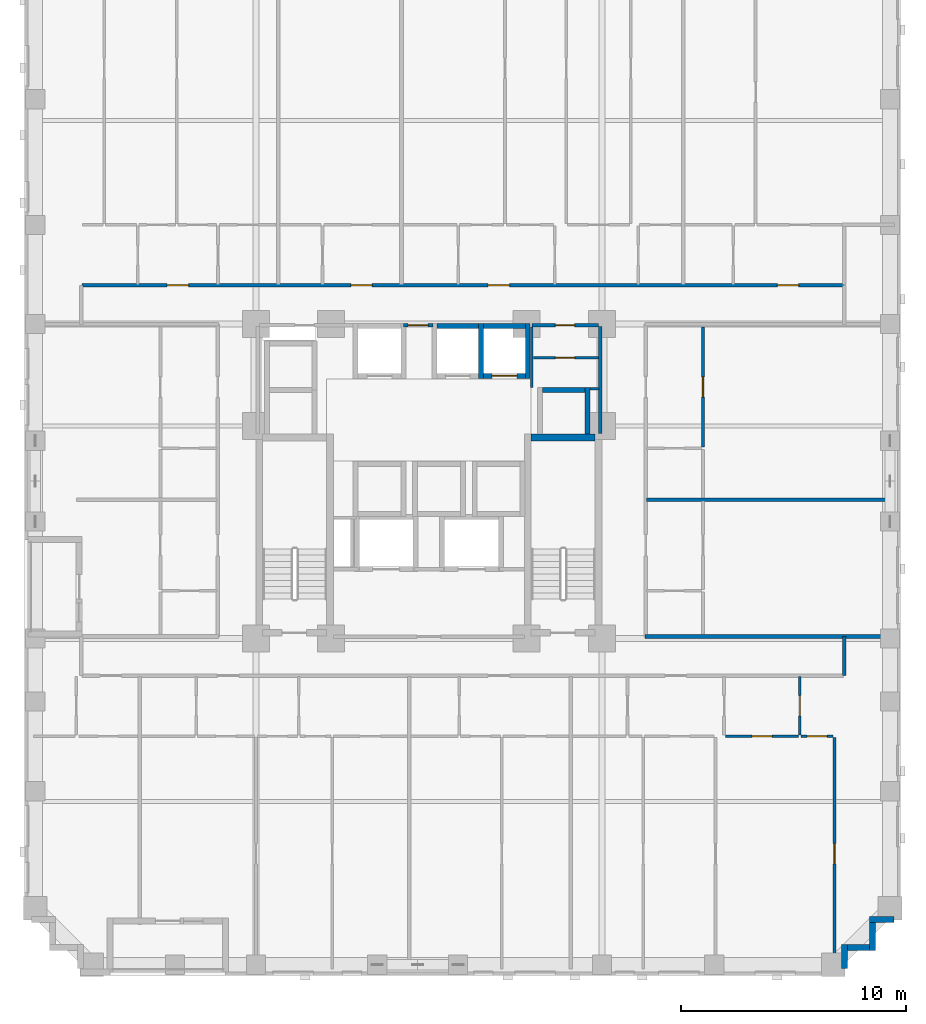
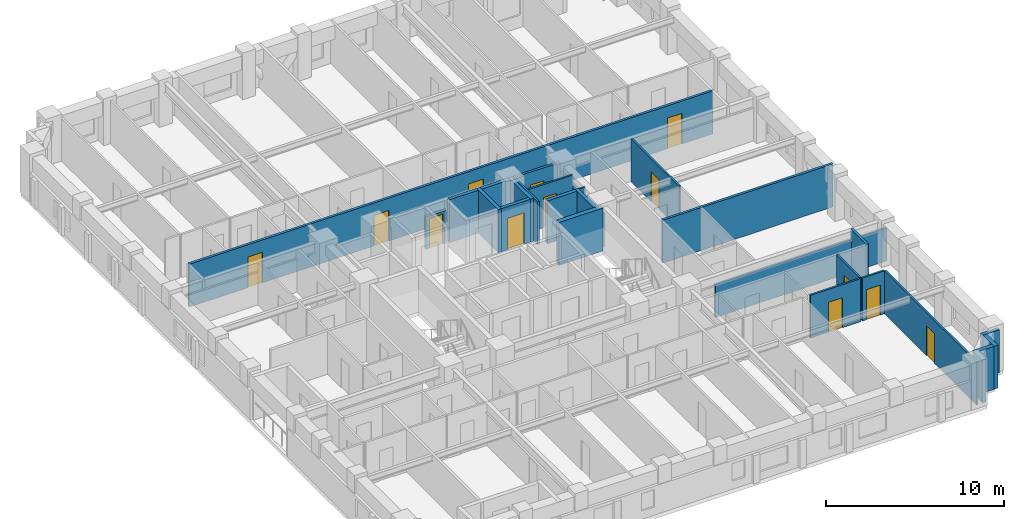
# One storey, part 6 of 14: 27 walls, 13 doors, 13 openings.
"""IFC4 building model written with IfcOpenShell, lengths in metres."""

from ifc_helpers import new_model, si_unit, derived_unit, direction, frame, frame_2d, origin, place, context, subcontext, project, spatial, rectangle, extrude, material, layer, layer_set, type_object, element, fill, save


model = new_model("IFC4")

# Units and contexts
model_context = context("Model", 3, precision=1e-05, world=origin(), true_north=direction((0.0, 1.0)))
body_context = subcontext(model_context, "Body", "Model", "MODEL_VIEW")
ifc_project = project(units=[si_unit("LENGTHUNIT", "METRE"), si_unit("AREAUNIT", "SQUARE_METRE"), si_unit("VOLUMEUNIT", "CUBIC_METRE"), si_unit("PLANEANGLEUNIT", "RADIAN"), si_unit("MASSUNIT", "GRAM", prefix="KILO"), derived_unit("THERMALTRANSMITTANCEUNIT", [(si_unit("MASSUNIT", "GRAM", prefix="KILO"), 1), (si_unit("TIMEUNIT", "SECOND"), -3), (si_unit("THERMODYNAMICTEMPERATUREUNIT", "KELVIN"), -1)])], contexts=[model_context])

# Site, building, storey
site_placement = place(None, origin())
site = spatial("IfcSite", under=ifc_project, at=site_placement, CompositionType="ELEMENT")
building_placement = place(site_placement, origin())
building = spatial("IfcBuilding", under=site, at=building_placement, Name="Korrvale Station Residences", CompositionType="ELEMENT")
storey_placement = place(building_placement, frame((0.0, 0.0, 57.800048828125)))
storey = spatial("IfcBuildingStorey", under=building, at=storey_placement, Name="L15", CompositionType="ELEMENT", Elevation=57.800048828125)

# Walls
ifc_material_1 = material(Name="Concrete C70/85", Category="concrete")
ifc_layer_1 = layer(ifc_material_1, 0.300048828125, Name="Concrete C70/85")
ifc_layer_set_1 = layer_set([ifc_layer_1], Name="Concrete C70/85")
wall_type_1 = type_object("IfcWallType", Name="WAL-CORE-300-C70", PredefinedType="SHEAR", material=ifc_layer_set_1)
wall_1_placement = place(storey_placement, frame((30.050048828125, 23.949951171875, 0.0), z_axis=(0.0, 0.0, 1.0), x_axis=(1.0, 0.0, 0.0)))
element("IfcWall", 1, at=wall_1_placement, inside=storey, type_object=wall_type_1, Name="L15 ST-2 Core Shear Wall North", PredefinedType="SHEAR", context=body_context, shape_type="SweptSolid", body=[
    extrude(rectangle(XDim=2.849853515625, YDim=0.300048828125, at=frame_2d((1.4248046875, 0.0))), origin(), (0.0, 0.0, 1.0), 2.93994140625),
])
ifc_material_2 = material(Name="Precast concrete C45/55", Category="concrete")
ifc_layer_2 = layer(ifc_material_2, 0.260009765625, Name="Precast concrete C45/55")
ifc_layer_set_2 = layer_set([ifc_layer_2], Name="Precast concrete C45/55")
wall_type_2 = type_object("IfcWallType", Name="WAL-EXT-LOG260", PredefinedType="SOLIDWALL", material=ifc_layer_set_2)
wall_2_placement = place(storey_placement, frame((46.197998046875, 2.5, 0.0), z_axis=(0.0, 0.0, 1.0), x_axis=(-1.0, 0.0, 0.0)))
element("IfcWall", 2, at=wall_2_placement, inside=storey, type_object=wall_type_2, Name="L15 Serrated Corner Precast Step SE-1", PredefinedType="SOLIDWALL", context=body_context, shape_type="SweptSolid", body=[
    extrude(rectangle(XDim=1.077880859375, YDim=0.260009765625, at=frame_2d((0.5390625, 0.0))), origin(), (0.0, 0.0, 1.0), 2.93994140625),
])
wall_3_placement = place(storey_placement, frame((45.25, 2.367919921875, 0.0), z_axis=(0.0, 0.0, 1.0), x_axis=(0.0, -1.0, 0.0)))
element("IfcWall", 3, at=wall_3_placement, inside=storey, type_object=wall_type_2, Name="L15 Serrated Corner Precast Step SE-2", PredefinedType="SOLIDWALL", context=body_context, shape_type="SweptSolid", body=[
    extrude(rectangle(XDim=1.247802734375, YDim=0.260009765625, at=frame_2d((0.6240234375, 0.0))), origin(), (0.0, 0.0, 1.0), 2.93994140625),
])
wall_4_placement = place(storey_placement, frame((45.117919921875, 1.25, 0.0), z_axis=(0.0, 0.0, 1.0), x_axis=(-1.0, 0.0, 0.0)))
element("IfcWall", 4, at=wall_4_placement, inside=storey, type_object=wall_type_2, Name="L15 Serrated Corner Precast Step SE-3", PredefinedType="SOLIDWALL", context=body_context, shape_type="SweptSolid", body=[
    extrude(rectangle(XDim=0.98583984375, YDim=0.260009765625, at=frame_2d((0.492919921875, 0.0))), origin(), (0.0, 0.0, 1.0), 2.93994140625),
])
wall_5_placement = place(storey_placement, frame((44.0, 1.3798828125, 0.0), z_axis=(0.0, 0.0, 1.0), x_axis=(0.0, -1.0, 0.0)))
element("IfcWall", 5, at=wall_5_placement, inside=storey, type_object=wall_type_2, Name="L15 Serrated Corner Precast Step SE-4", PredefinedType="SOLIDWALL", context=body_context, shape_type="SweptSolid", body=[
    extrude(rectangle(XDim=1.077880859375, YDim=0.260009765625, at=frame_2d((0.5390625, 0.0))), origin(), (0.0, 0.0, 1.0), 2.93994140625),
])
ifc_material_3 = material(Name="Acoustic steel-stud gypsum board partition", Category="steel")
ifc_layer_3 = layer(ifc_material_3, 0.1201171875, Name="Acoustic steel-stud gypsum board partition")
ifc_layer_set_3 = layer_set([ifc_layer_3], Name="Acoustic steel-stud gypsum board partition")
wall_type_3 = type_object("IfcWallType", Name="WAL-PART-125", PredefinedType="PARTITIONING", material=ifc_layer_set_3)
wall_6_placement = place(storey_placement, frame((30.080078125, 26.179931640625, 0.0), z_axis=(0.0, 0.0, 1.0), x_axis=(0.0, 1.0, 0.0)))
element("IfcWall", 6, at=wall_6_placement, inside=storey, type_object=wall_type_3, Name="L15 Core Partition CW-CS-W", PredefinedType="PARTITIONING", context=body_context, shape_type="SweptSolid", body=[
    extrude(rectangle(XDim=2.68017578125, YDim=0.1201171875, at=frame_2d((1.340087890625, 0.0))), origin(), (0.0, 0.0, 1.0), 2.93994140625),
])
wall_7_placement = place(storey_placement, frame((32.679931640625, 26.1201171875, 0.0), z_axis=(0.0, 0.0, 1.0), x_axis=(1.0, 0.0, 0.0)))
element("IfcWall", 7, at=wall_7_placement, inside=storey, type_object=wall_type_3, Name="L15 Core Partition CW-CS-S", PredefinedType="PARTITIONING", context=body_context, shape_type="SweptSolid", body=[
    extrude(rectangle(XDim=0.380126953125, YDim=0.1201171875, at=frame_2d((0.18994140625, 0.0))), origin(), (0.0, 0.0, 1.0), 2.93994140625),
])

# Wall, opening, door
wall_8_placement = place(storey_placement, frame((30.159912109375, 27.5, 0.0), z_axis=(0.0, 0.0, 1.0), x_axis=(1.0, 0.0, 0.0)))
wall_8 = element("IfcWall", 8, at=wall_8_placement, inside=storey, type_object=wall_type_3, Name="L15 Core Partition CW-CS-H", PredefinedType="PARTITIONING", context=body_context, shape_type="SweptSolid", body=[
    extrude(rectangle(XDim=2.880126953125, YDim=0.1201171875, at=frame_2d((1.43994140625, 0.0))), origin(), (0.0, 0.0, 1.0), 2.93994140625),
])
opening_1_placement = place(wall_8_placement, frame((0.969970703125, 0.0, 0.0)))
opening_1 = element("IfcOpeningElement", 9, at=opening_1_placement, cuts=wall_8, Name="Opening DB-860", PredefinedType="OPENING", context=body_context, shape_type="SweptSolid", body=[
    extrude(rectangle(XDim=0.860107421875, YDim=2.050048828125, at=frame_2d((0.43017578125, 1.02490234375))), frame((0.0, 0.070068359375, 0.0), z_axis=(0.0, -1.0, 0.0), x_axis=(1.0, 0.0, 0.0)), (0.0, 0.0, 1.0), 0.14013671875),
])
ifc_material_4 = material(Name="Moisture-resistant solid-core bathroom door", Category="timber")
door_type_1 = type_object("IfcDoorType", Name="DR-BATH-860", OperationType="NOTDEFINED", PredefinedType="DOOR", material=ifc_material_4)
door_1_placement = place(opening_1_placement, origin())
door_1 = element("IfcDoor", 10, at=door_1_placement, inside=storey, type_object=door_type_1, Name="L15 Mail Sorting Inner Door", OperationType="SINGLE_SWING_RIGHT", OverallHeight=2.050048828125, OverallWidth=0.860107421875, PredefinedType="DOOR", context=body_context, shape_type="SweptSolid", body=[
    extrude(rectangle(XDim=0.860107421875, YDim=2.050048828125, at=frame_2d((0.43017578125, 1.02490234375))), frame((0.0, 0.02490234375, 0.0), z_axis=(0.0, -1.0, 0.0), x_axis=(1.0, 0.0, 0.0)), (0.0, 0.0, 1.0), 0.050048828125),
])
fill(opening_1, door_1)

wall_9_placement = place(storey_placement, frame((42.007080078125, 10.7099609375, 0.0), z_axis=(0.0, 0.0, 1.0), x_axis=(0.0, 1.0, 0.0)))
wall_9 = element("IfcWall", 11, at=wall_9_placement, inside=storey, type_object=wall_type_3, Name="L15 Suite Partition U04-V23", PredefinedType="PARTITIONING", context=body_context, shape_type="SweptSolid", body=[
    extrude(rectangle(XDim=2.60009765625, YDim=0.1201171875, at=frame_2d((1.300048828125, 0.0))), origin(), (0.0, 0.0, 1.0), 2.93994140625),
])
opening_2_placement = place(wall_9_placement, frame((0.85009765625, 0.0, 0.0)))
opening_2 = element("IfcOpeningElement", 12, at=opening_2_placement, cuts=wall_9, Name="Opening DI-900", PredefinedType="OPENING", context=body_context, shape_type="SweptSolid", body=[
    extrude(rectangle(XDim=0.89990234375, YDim=2.050048828125, at=frame_2d((0.449951171875, 1.02490234375))), frame((0.0, 0.070068359375, 0.0), z_axis=(0.0, -1.0, 0.0), x_axis=(1.0, 0.0, 0.0)), (0.0, 0.0, 1.0), 0.14013671875),
])
ifc_material_5 = material(Name="Painted solid-core timber interior room door", Category="wood")
door_type_2 = type_object("IfcDoorType", Name="DR-INT-900", OperationType="NOTDEFINED", PredefinedType="DOOR", material=ifc_material_5)
door_2_placement = place(opening_2_placement, origin())
door_2 = element("IfcDoor", 13, at=door_2_placement, inside=storey, type_object=door_type_2, Name="L15 Studio Apartment L15-U04 Home Study Room Door", OperationType="SINGLE_SWING_LEFT", OverallHeight=2.050048828125, OverallWidth=0.89990234375, PredefinedType="DOOR", context=body_context, shape_type="SweptSolid", body=[
    extrude(rectangle(XDim=0.89990234375, YDim=2.050048828125, at=frame_2d((0.449951171875, 1.02490234375))), frame((0.0, 0.02490234375, 0.0), z_axis=(0.0, -1.0, 0.0), x_axis=(1.0, 0.0, 0.0)), (0.0, 0.0, 1.0), 0.050048828125),
])
fill(opening_2, door_2)

wall_10_placement = place(storey_placement, frame((38.697021484375, 10.64990234375, 0.0), z_axis=(0.0, 0.0, 1.0), x_axis=(1.0, 0.0, 0.0)))
wall_10 = element("IfcWall", 14, at=wall_10_placement, inside=storey, type_object=wall_type_3, Name="L15 Suite Partition U04-H26", PredefinedType="PARTITIONING", context=body_context, shape_type="SweptSolid", body=[
    extrude(rectangle(XDim=3.25, YDim=0.1201171875, at=frame_2d((1.625, 0.0))), origin(), (0.0, 0.0, 1.0), 2.93994140625),
])
opening_3_placement = place(wall_10_placement, frame((1.175048828125, 0.0, 0.0)))
opening_3 = element("IfcOpeningElement", 15, at=opening_3_placement, cuts=wall_10, Name="Opening DI-900", PredefinedType="OPENING", context=body_context, shape_type="SweptSolid", body=[
    extrude(rectangle(XDim=0.89990234375, YDim=2.050048828125, at=frame_2d((0.449951171875, 1.02490234375))), frame((0.0, 0.070068359375, 0.0), z_axis=(0.0, -1.0, 0.0), x_axis=(1.0, 0.0, 0.0)), (0.0, 0.0, 1.0), 0.14013671875),
])
door_3_placement = place(opening_3_placement, origin())
door_3 = element("IfcDoor", 16, at=door_3_placement, inside=storey, type_object=door_type_2, Name="L15 Studio Apartment L15-U04 Home Study Room Door", OperationType="SINGLE_SWING_RIGHT", OverallHeight=2.050048828125, OverallWidth=0.89990234375, PredefinedType="DOOR", context=body_context, shape_type="SweptSolid", body=[
    extrude(rectangle(XDim=0.89990234375, YDim=2.050048828125, at=frame_2d((0.449951171875, 1.02490234375))), frame((0.0, 0.02490234375, 0.0), z_axis=(0.0, -1.0, 0.0), x_axis=(1.0, 0.0, 0.0)), (0.0, 0.0, 1.0), 0.050048828125),
])
fill(opening_3, door_3)

wall_11_placement = place(storey_placement, frame((42.06689453125, 10.64990234375, 0.0), z_axis=(0.0, 0.0, 1.0), x_axis=(1.0, 0.0, 0.0)))
wall_11 = element("IfcWall", 17, at=wall_11_placement, inside=storey, type_object=wall_type_3, Name="L15 Suite Partition U04-H36", PredefinedType="PARTITIONING", context=body_context, shape_type="SweptSolid", body=[
    extrude(rectangle(XDim=1.423095703125, YDim=0.1201171875, at=frame_2d((0.71142578125, 0.0))), origin(), (0.0, 0.0, 1.0), 2.93994140625),
])
opening_4_placement = place(wall_11_placement, frame((0.261962890625, 0.0, 0.0)))
opening_4 = element("IfcOpeningElement", 18, at=opening_4_placement, cuts=wall_11, Name="Opening DI-900", PredefinedType="OPENING", context=body_context, shape_type="SweptSolid", body=[
    extrude(rectangle(XDim=0.89990234375, YDim=2.050048828125, at=frame_2d((0.449951171875, 1.02490234375))), frame((0.0, 0.070068359375, 0.0), z_axis=(0.0, -1.0, 0.0), x_axis=(1.0, 0.0, 0.0)), (0.0, 0.0, 1.0), 0.14013671875),
])
door_4_placement = place(opening_4_placement, origin())
door_4 = element("IfcDoor", 19, at=door_4_placement, inside=storey, type_object=door_type_2, Name="L15 Studio Apartment L15-U04 Utility and Laundry Room Door", OperationType="SINGLE_SWING_LEFT", OverallHeight=2.050048828125, OverallWidth=0.89990234375, PredefinedType="DOOR", context=body_context, shape_type="SweptSolid", body=[
    extrude(rectangle(XDim=0.89990234375, YDim=2.050048828125, at=frame_2d((0.449951171875, 1.02490234375))), frame((0.0, 0.02490234375, 0.0), z_axis=(0.0, -1.0, 0.0), x_axis=(1.0, 0.0, 0.0)), (0.0, 0.0, 1.0), 0.050048828125),
])
fill(opening_4, door_4)

wall_12_placement = place(storey_placement, frame((43.550048828125, 0.280029296875, 0.0), z_axis=(0.0, 0.0, 1.0), x_axis=(0.0, 1.0, 0.0)))
wall_12 = element("IfcWall", 20, at=wall_12_placement, inside=storey, type_object=wall_type_3, Name="L15 Suite Partition U04-V67", PredefinedType="PARTITIONING", context=body_context, shape_type="SweptSolid", body=[
    extrude(rectangle(XDim=10.31005859375, YDim=0.1201171875, at=frame_2d((5.155029296875, 0.0))), origin(), (0.0, 0.0, 1.0), 2.93994140625),
])
opening_5_placement = place(wall_12_placement, frame((4.68994140625, 0.0, 0.0)))
opening_5 = element("IfcOpeningElement", 21, at=opening_5_placement, cuts=wall_12, Name="Opening DI-900", PredefinedType="OPENING", context=body_context, shape_type="SweptSolid", body=[
    extrude(rectangle(XDim=0.89990234375, YDim=2.050048828125, at=frame_2d((0.449951171875, 1.02490234375))), frame((0.0, 0.070068359375, 0.0), z_axis=(0.0, -1.0, 0.0), x_axis=(1.0, 0.0, 0.0)), (0.0, 0.0, 1.0), 0.14013671875),
])
door_5_placement = place(opening_5_placement, origin())
door_5 = element("IfcDoor", 22, at=door_5_placement, inside=storey, type_object=door_type_2, Name="L15 Studio Apartment L15-U04 Studio Living Room Door", OperationType="SINGLE_SWING_RIGHT", OverallHeight=2.050048828125, OverallWidth=0.89990234375, PredefinedType="DOOR", context=body_context, shape_type="SweptSolid", body=[
    extrude(rectangle(XDim=0.89990234375, YDim=2.050048828125, at=frame_2d((0.449951171875, 1.02490234375))), frame((0.0, 0.02490234375, 0.0), z_axis=(0.0, -1.0, 0.0), x_axis=(1.0, 0.0, 0.0)), (0.0, 0.0, 1.0), 0.050048828125),
])
fill(opening_5, door_5)

wall_13_placement = place(storey_placement, frame((37.699951171875, 23.527099609375, 0.0), z_axis=(0.0, 0.0, 1.0), x_axis=(0.0, 1.0, 0.0)))
wall_13 = element("IfcWall", 23, at=wall_13_placement, inside=storey, type_object=wall_type_3, Name="L15 Suite Partition U12-V12", PredefinedType="PARTITIONING", context=body_context, shape_type="SweptSolid", body=[
    extrude(rectangle(XDim=5.3330078125, YDim=0.1201171875, at=frame_2d((2.66650390625, 0.0))), origin(), (0.0, 0.0, 1.0), 2.93994140625),
])
opening_6_placement = place(wall_13_placement, frame((2.216064453125, 0.0, 0.0)))
opening_6 = element("IfcOpeningElement", 24, at=opening_6_placement, cuts=wall_13, Name="Opening DI-900", PredefinedType="OPENING", context=body_context, shape_type="SweptSolid", body=[
    extrude(rectangle(XDim=0.89990234375, YDim=2.050048828125, at=frame_2d((0.449951171875, 1.02490234375))), frame((0.0, 0.070068359375, 0.0), z_axis=(0.0, -1.0, 0.0), x_axis=(1.0, 0.0, 0.0)), (0.0, 0.0, 1.0), 0.14013671875),
])
door_6_placement = place(opening_6_placement, origin())
door_6 = element("IfcDoor", 25, at=door_6_placement, inside=storey, type_object=door_type_2, Name="L15 Apartment 1BR L15-U12 Kitchen Door", OperationType="SINGLE_SWING_RIGHT", OverallHeight=2.050048828125, OverallWidth=0.89990234375, PredefinedType="DOOR", context=body_context, shape_type="SweptSolid", body=[
    extrude(rectangle(XDim=0.89990234375, YDim=2.050048828125, at=frame_2d((0.449951171875, 1.02490234375))), frame((0.0, 0.02490234375, 0.0), z_axis=(0.0, -1.0, 0.0), x_axis=(1.0, 0.0, 0.0)), (0.0, 0.0, 1.0), 0.050048828125),
])
fill(opening_6, door_6)

# Wall
ifc_material_6 = material(Name="Fire-rated twin-stud gypsum and mineral wool shaftwall assembly", Category="gypsum")
ifc_layer_4 = layer(ifc_material_6, 0.159912109375, Name="Fire-rated twin-stud gypsum and mineral wool shaftwall assembly")
ifc_layer_set_4 = layer_set([ifc_layer_4], Name="Fire-rated twin-stud gypsum and mineral wool shaftwall assembly")
wall_type_4 = type_object("IfcWallType", Name="WAL-PART-200", PredefinedType="PARTITIONING", material=ifc_layer_set_4)
wall_14_placement = place(storey_placement, frame((33.1201171875, 24.1201171875, 0.0), z_axis=(0.0, 0.0, 1.0), x_axis=(0.0, 1.0, 0.0)))
element("IfcWall", 26, at=wall_14_placement, inside=storey, type_object=wall_type_4, Name="L15 Core Partition CW-E-N", PredefinedType="PARTITIONING", context=body_context, shape_type="SweptSolid", body=[
    extrude(rectangle(XDim=4.759765625, YDim=0.159912109375, at=frame_2d((2.3798828125, 0.0))), origin(), (0.0, 0.0, 1.0), 2.27490234375),
])

# Wall, opening, door
wall_15_placement = place(storey_placement, frame((24.360107421875, 28.949951171875, 0.0), z_axis=(0.0, 0.0, 1.0), x_axis=(1.0, 0.0, 0.0)))
wall_15 = element("IfcWall", 27, at=wall_15_placement, inside=storey, type_object=wall_type_4, Name="L15 Core Partition CW-LLOB-N", PredefinedType="PARTITIONING", context=body_context, shape_type="SweptSolid", body=[
    extrude(rectangle(XDim=1.31982421875, YDim=0.159912109375, at=frame_2d((0.659912109375, 0.0))), origin(), (0.0, 0.0, 1.0), 2.23193359375),
])
opening_7_placement = place(wall_15_placement, frame((0.2099609375, 0.0, 0.0)))
opening_7 = element("IfcOpeningElement", 28, at=opening_7_placement, cuts=wall_15, Name="Opening DI-900", PredefinedType="OPENING", context=body_context, shape_type="SweptSolid", body=[
    extrude(rectangle(XDim=0.89990234375, YDim=2.050048828125, at=frame_2d((0.449951171875, 1.02490234375))), frame((0.0, 0.08984375, 0.0), z_axis=(0.0, -1.0, 0.0), x_axis=(1.0, 0.0, 0.0)), (0.0, 0.0, 1.0), 0.179931640625),
])
door_7_placement = place(opening_7_placement, origin())
door_7 = element("IfcDoor", 29, at=door_7_placement, inside=storey, type_object=door_type_2, Name="L15 Central Hallway North Passage Door", OperationType="SINGLE_SWING_RIGHT", OverallHeight=2.050048828125, OverallWidth=0.89990234375, PredefinedType="DOOR", context=body_context, shape_type="SweptSolid", body=[
    extrude(rectangle(XDim=0.89990234375, YDim=2.050048828125, at=frame_2d((0.449951171875, 1.02490234375))), frame((0.0, 0.02490234375, 0.0), z_axis=(0.0, -1.0, 0.0), x_axis=(1.0, 0.0, 0.0)), (0.0, 0.0, 1.0), 0.050048828125),
])
fill(opening_7, door_7)

wall_16_placement = place(storey_placement, frame((30.080078125, 28.949951171875, 0.0), z_axis=(0.0, 0.0, 1.0), x_axis=(1.0, 0.0, 0.0)))
wall_16 = element("IfcWall", 30, at=wall_16_placement, inside=storey, type_object=wall_type_4, Name="L15 Core Partition CW-CS-N", PredefinedType="PARTITIONING", context=body_context, shape_type="SweptSolid", body=[
    extrude(rectangle(XDim=2.9599609375, YDim=0.159912109375, at=frame_2d((1.47998046875, 0.0))), origin(), (0.0, 0.0, 1.0), 2.93994140625),
])
opening_8_placement = place(wall_16_placement, frame((1.044921875, 0.0, 0.0)))
opening_8 = element("IfcOpeningElement", 31, at=opening_8_placement, cuts=wall_16, Name="Opening DB-860", PredefinedType="OPENING", context=body_context, shape_type="SweptSolid", body=[
    extrude(rectangle(XDim=0.860107421875, YDim=2.050048828125, at=frame_2d((0.43017578125, 1.02490234375))), frame((0.0, 0.08984375, 0.0), z_axis=(0.0, -1.0, 0.0), x_axis=(1.0, 0.0, 0.0)), (0.0, 0.0, 1.0), 0.179931640625),
])
door_8_placement = place(opening_8_placement, origin())
door_8 = element("IfcDoor", 32, at=door_8_placement, inside=storey, type_object=door_type_1, Name="L15 Housekeeping Pantry Door", OperationType="SINGLE_SWING_LEFT", OverallHeight=2.050048828125, OverallWidth=0.860107421875, PredefinedType="DOOR", context=body_context, shape_type="SweptSolid", body=[
    extrude(rectangle(XDim=0.860107421875, YDim=2.050048828125, at=frame_2d((0.43017578125, 1.02490234375))), frame((0.0, 0.02490234375, 0.0), z_axis=(0.0, -1.0, 0.0), x_axis=(1.0, 0.0, 0.0)), (0.0, 0.0, 1.0), 0.050048828125),
])
fill(opening_8, door_8)

# Walls
wall_17_placement = place(storey_placement, frame((43.97998046875, 13.35009765625, 0.0), z_axis=(0.0, 0.0, 1.0), x_axis=(0.0, 1.0, 0.0)))
element("IfcWall", 33, at=wall_17_placement, inside=storey, type_object=wall_type_4, Name="L15 Corridor South East Cap", PredefinedType="PARTITIONING", context=body_context, shape_type="SweptSolid", body=[
    extrude(rectangle(XDim=1.739990234375, YDim=0.159912109375, at=frame_2d((0.8701171875, 0.0))), origin(), (0.0, 0.0, 1.0), 2.93994140625),
])
wall_18_placement = place(storey_placement, frame((35.110107421875, 15.090087890625, 0.0), z_axis=(0.0, 0.0, 1.0), x_axis=(1.0, 0.0, 0.0)))
element("IfcWall", 34, at=wall_18_placement, inside=storey, type_object=wall_type_4, Name="L15 East Wing South Corridor Wall", PredefinedType="PARTITIONING", context=body_context, shape_type="SweptSolid", body=[
    extrude(rectangle(XDim=11.10986328125, YDim=0.159912109375, at=frame_2d((5.554931640625, 0.0))), origin(), (0.0, 0.0, 1.0), 2.23193359375),
])
wall_19_placement = place(storey_placement, frame((35.18994140625, 21.166015625, 0.0), z_axis=(0.0, 0.0, 1.0), x_axis=(1.0, 0.0, 0.0)))
element("IfcWall", 35, at=wall_19_placement, inside=storey, type_object=wall_type_4, Name="L15 Demising Wall U11-N", PredefinedType="PARTITIONING", context=body_context, shape_type="SweptSolid", body=[
    extrude(rectangle(XDim=11.030029296875, YDim=0.159912109375, at=frame_2d((5.51513671875, 0.0))), origin(), (0.0, 0.0, 1.0), 2.93994140625),
])

# Wall, openings, doors
wall_20_placement = place(storey_placement, frame((10.050048828125, 30.719970703125, 0.0), z_axis=(0.0, 0.0, 1.0), x_axis=(1.0, 0.0, 0.0)))
wall_20 = element("IfcWall", 36, at=wall_20_placement, inside=storey, type_object=wall_type_4, Name="L15 Rated Corridor Wall N", PredefinedType="PARTITIONING", context=body_context, shape_type="SweptSolid", body=[
    extrude(rectangle(XDim=33.89990234375, YDim=0.159912109375, at=frame_2d((16.949951171875, 0.0))), origin(), (0.0, 0.0, 1.0), 2.93994140625),
])
opening_9_placement = place(wall_20_placement, frame((3.800048828125, 0.0, 0.0)))
opening_9 = element("IfcOpeningElement", 37, at=opening_9_placement, cuts=wall_20, Name="Opening UD-950", PredefinedType="OPENING", context=body_context, shape_type="SweptSolid", body=[
    extrude(rectangle(XDim=0.949951171875, YDim=2.10009765625, at=frame_2d((0.47509765625, 1.050048828125))), frame((0.0, 0.08984375, 0.0), z_axis=(0.0, -1.0, 0.0), x_axis=(1.0, 0.0, 0.0)), (0.0, 0.0, 1.0), 0.179931640625),
])
opening_10_placement = place(wall_20_placement, frame((11.97705078125, 0.0, 0.0)))
opening_10 = element("IfcOpeningElement", 38, at=opening_10_placement, cuts=wall_20, Name="Opening UD-950", PredefinedType="OPENING", context=body_context, shape_type="SweptSolid", body=[
    extrude(rectangle(XDim=0.949951171875, YDim=2.10009765625, at=frame_2d((0.47509765625, 1.050048828125))), frame((0.0, 0.08984375, 0.0), z_axis=(0.0, -1.0, 0.0), x_axis=(1.0, 0.0, 0.0)), (0.0, 0.0, 1.0), 0.179931640625),
])
opening_11_placement = place(wall_20_placement, frame((18.090087890625, 0.0, 0.0)))
opening_11 = element("IfcOpeningElement", 39, at=opening_11_placement, cuts=wall_20, Name="Opening UD-950", PredefinedType="OPENING", context=body_context, shape_type="SweptSolid", body=[
    extrude(rectangle(XDim=0.949951171875, YDim=2.10009765625, at=frame_2d((0.47509765625, 1.050048828125))), frame((0.0, 0.08984375, 0.0), z_axis=(0.0, -1.0, 0.0), x_axis=(1.0, 0.0, 0.0)), (0.0, 0.0, 1.0), 0.179931640625),
])
opening_12_placement = place(wall_20_placement, frame((30.9560546875, 0.0, 0.0)))
opening_12 = element("IfcOpeningElement", 40, at=opening_12_placement, cuts=wall_20, Name="Opening UD-950", PredefinedType="OPENING", context=body_context, shape_type="SweptSolid", body=[
    extrude(rectangle(XDim=0.949951171875, YDim=2.10009765625, at=frame_2d((0.47509765625, 1.050048828125))), frame((0.0, 0.08984375, 0.0), z_axis=(0.0, -1.0, 0.0), x_axis=(1.0, 0.0, 0.0)), (0.0, 0.0, 1.0), 0.179931640625),
])
ifc_material_7 = material(Name="Solid-core acoustic oak apartment entrance door", Category="timber")
door_type_3 = type_object("IfcDoorType", Name="DR-UNIT-950", OperationType="NOTDEFINED", PredefinedType="DOOR", material=ifc_material_7)
door_9_placement = place(opening_9_placement, origin())
door_9 = element("IfcDoor", 41, at=door_9_placement, inside=storey, type_object=door_type_3, Name="L15 Apartment L15-U05 Entrance Door", OperationType="SINGLE_SWING_LEFT", OverallHeight=2.10009765625, OverallWidth=0.949951171875, PredefinedType="DOOR", context=body_context, shape_type="SweptSolid", body=[
    extrude(rectangle(XDim=0.949951171875, YDim=2.10009765625, at=frame_2d((0.47509765625, 1.050048828125))), frame((0.0, 0.02490234375, 0.0), z_axis=(0.0, -1.0, 0.0), x_axis=(1.0, 0.0, 0.0)), (0.0, 0.0, 1.0), 0.050048828125),
])
fill(opening_9, door_9)
door_10_placement = place(opening_10_placement, origin())
door_10 = element("IfcDoor", 42, at=door_10_placement, inside=storey, type_object=door_type_3, Name="L15 Apartment L15-U06 Entrance Door", OperationType="SINGLE_SWING_RIGHT", OverallHeight=2.10009765625, OverallWidth=0.949951171875, PredefinedType="DOOR", context=body_context, shape_type="SweptSolid", body=[
    extrude(rectangle(XDim=0.949951171875, YDim=2.10009765625, at=frame_2d((0.47509765625, 1.050048828125))), frame((0.0, 0.02490234375, 0.0), z_axis=(0.0, -1.0, 0.0), x_axis=(1.0, 0.0, 0.0)), (0.0, 0.0, 1.0), 0.050048828125),
])
fill(opening_10, door_10)
door_11_placement = place(opening_11_placement, origin())
door_11 = element("IfcDoor", 43, at=door_11_placement, inside=storey, type_object=door_type_3, Name="L15 Apartment L15-U07 Entrance Door", OperationType="SINGLE_SWING_LEFT", OverallHeight=2.10009765625, OverallWidth=0.949951171875, PredefinedType="DOOR", context=body_context, shape_type="SweptSolid", body=[
    extrude(rectangle(XDim=0.949951171875, YDim=2.10009765625, at=frame_2d((0.47509765625, 1.050048828125))), frame((0.0, 0.02490234375, 0.0), z_axis=(0.0, -1.0, 0.0), x_axis=(1.0, 0.0, 0.0)), (0.0, 0.0, 1.0), 0.050048828125),
])
fill(opening_11, door_11)
door_12_placement = place(opening_12_placement, origin())
door_12 = element("IfcDoor", 44, at=door_12_placement, inside=storey, type_object=door_type_3, Name="L15 Apartment L15-U08 Entrance Door", OperationType="SINGLE_SWING_RIGHT", OverallHeight=2.10009765625, OverallWidth=0.949951171875, PredefinedType="DOOR", context=body_context, shape_type="SweptSolid", body=[
    extrude(rectangle(XDim=0.949951171875, YDim=2.10009765625, at=frame_2d((0.47509765625, 1.050048828125))), frame((0.0, 0.02490234375, 0.0), z_axis=(0.0, -1.0, 0.0), x_axis=(1.0, 0.0, 0.0)), (0.0, 0.0, 1.0), 0.050048828125),
])
fill(opening_12, door_12)

# Walls
ifc_layer_5 = layer(ifc_material_1, 0.219970703125, Name="Concrete C70/85")
ifc_layer_set_5 = layer_set([ifc_layer_5], Name="Concrete C70/85")
wall_type_5 = type_object("IfcWallType", Name="WAL-SHAFT-220-C70", PredefinedType="SHEAR", material=ifc_layer_set_5)
wall_21_placement = place(storey_placement, frame((25.85009765625, 28.909912109375, 0.0), z_axis=(0.0, 0.0, 1.0), x_axis=(1.0, 0.0, 0.0)))
element("IfcWall", 45, at=wall_21_placement, inside=storey, type_object=wall_type_5, Name="L15 Elevator PL-2 Hoistway Wall North", PredefinedType="SHEAR", context=body_context, shape_type="SweptSolid", body=[
    extrude(rectangle(XDim=1.85986328125, YDim=0.219970703125, at=frame_2d((0.929931640625, 0.0))), origin(), (0.0, 0.0, 1.0), 2.93994140625),
])
wall_22_placement = place(storey_placement, frame((27.820068359375, 26.580078125, 0.0), z_axis=(0.0, 0.0, 1.0), x_axis=(0.0, 1.0, 0.0)))
element("IfcWall", 46, at=wall_22_placement, inside=storey, type_object=wall_type_5, Name="L15 Elevator PL-2 Hoistway Wall East", PredefinedType="SHEAR", context=body_context, shape_type="SweptSolid", body=[
    extrude(rectangle(XDim=2.43994140625, YDim=0.219970703125, at=frame_2d((1.219970703125, 0.0))), origin(), (0.0, 0.0, 1.0), 2.93994140625),
])

# Wall, opening, door
wall_23_placement = place(storey_placement, frame((27.929931640625, 26.68994140625, 0.0), z_axis=(0.0, 0.0, 1.0), x_axis=(1.0, 0.0, 0.0)))
wall_23 = element("IfcWall", 47, at=wall_23_placement, inside=storey, type_object=wall_type_5, Name="L15 Elevator PL-3 Hoistway Wall South", PredefinedType="SHEAR", context=body_context, shape_type="SweptSolid", body=[
    extrude(rectangle(XDim=1.860107421875, YDim=0.219970703125, at=frame_2d((0.93017578125, 0.0))), origin(), (0.0, 0.0, 1.0), 2.93994140625),
])
opening_13_placement = place(wall_23_placement, frame((0.3798828125, 0.0, 0.0)))
opening_13 = element("IfcOpeningElement", 48, at=opening_13_placement, cuts=wall_23, Name="Opening LD-1100", PredefinedType="OPENING", context=body_context, shape_type="SweptSolid", body=[
    extrude(rectangle(XDim=1.10009765625, YDim=2.14990234375, at=frame_2d((0.550048828125, 1.074951171875))), frame((0.0, 0.1201171875, 0.0), z_axis=(0.0, -1.0, 0.0), x_axis=(1.0, 0.0, 0.0)), (0.0, 0.0, 1.0), 0.239990234375),
])
ifc_material_8 = material(Name="Brushed stainless-steel elevator landing sliding door", Category="steel")
door_type_4 = type_object("IfcDoorType", Name="DR-LIFT-1100", OperationType="SLIDING_TO_LEFT", PredefinedType="DOOR", material=ifc_material_8)
door_13_placement = place(opening_13_placement, origin())
door_13 = element("IfcDoor", 49, at=door_13_placement, inside=storey, type_object=door_type_4, Name="L15 Elevator PL-3 Sliding Landing Door", OperationType="SLIDING_TO_LEFT", OverallHeight=2.14990234375, OverallWidth=1.10009765625, PredefinedType="DOOR", context=body_context, shape_type="SweptSolid", body=[
    extrude(rectangle(XDim=1.10009765625, YDim=2.14990234375, at=frame_2d((0.550048828125, 1.074951171875))), frame((0.0, 0.02490234375, 0.0), z_axis=(0.0, -1.0, 0.0), x_axis=(1.0, 0.0, 0.0)), (0.0, 0.0, 1.0), 0.050048828125),
])
fill(opening_13, door_13)

# Walls
wall_24_placement = place(storey_placement, frame((27.929931640625, 28.909912109375, 0.0), z_axis=(0.0, 0.0, 1.0), x_axis=(1.0, 0.0, 0.0)))
element("IfcWall", 50, at=wall_24_placement, inside=storey, type_object=wall_type_5, Name="L15 Elevator PL-3 Hoistway Wall North", PredefinedType="SHEAR", context=body_context, shape_type="SweptSolid", body=[
    extrude(rectangle(XDim=1.860107421875, YDim=0.219970703125, at=frame_2d((0.93017578125, 0.0))), origin(), (0.0, 0.0, 1.0), 2.93994140625),
])
wall_25_placement = place(storey_placement, frame((29.89990234375, 26.580078125, 0.0), z_axis=(0.0, 0.0, 1.0), x_axis=(0.0, 1.0, 0.0)))
element("IfcWall", 51, at=wall_25_placement, inside=storey, type_object=wall_type_5, Name="L15 Elevator PL-3 Hoistway Wall East", PredefinedType="SHEAR", context=body_context, shape_type="SweptSolid", body=[
    extrude(rectangle(XDim=2.43994140625, YDim=0.219970703125, at=frame_2d((1.219970703125, 0.0))), origin(), (0.0, 0.0, 1.0), 2.93994140625),
])
wall_26_placement = place(storey_placement, frame((30.550048828125, 26.06005859375, 0.0), z_axis=(0.0, 0.0, 1.0), x_axis=(1.0, 0.0, 0.0)))
element("IfcWall", 52, at=wall_26_placement, inside=storey, type_object=wall_type_5, Name="L15 Elevator PH-3 Hoistway Wall North", PredefinedType="SHEAR", context=body_context, shape_type="SweptSolid", body=[
    extrude(rectangle(XDim=1.89990234375, YDim=0.219970703125, at=frame_2d((0.949951171875, 0.0))), origin(), (0.0, 0.0, 1.0), 2.93994140625),
])
wall_27_placement = place(storey_placement, frame((32.56005859375, 24.10009765625, 0.0), z_axis=(0.0, 0.0, 1.0), x_axis=(0.0, 1.0, 0.0)))
element("IfcWall", 53, at=wall_27_placement, inside=storey, type_object=wall_type_5, Name="L15 Elevator PH-3 Hoistway Wall East", PredefinedType="SHEAR", context=body_context, shape_type="SweptSolid", body=[
    extrude(rectangle(XDim=2.06982421875, YDim=0.219970703125, at=frame_2d((1.034912109375, 0.0))), origin(), (0.0, 0.0, 1.0), 2.93994140625),
])

save(model, "model.ifc")
